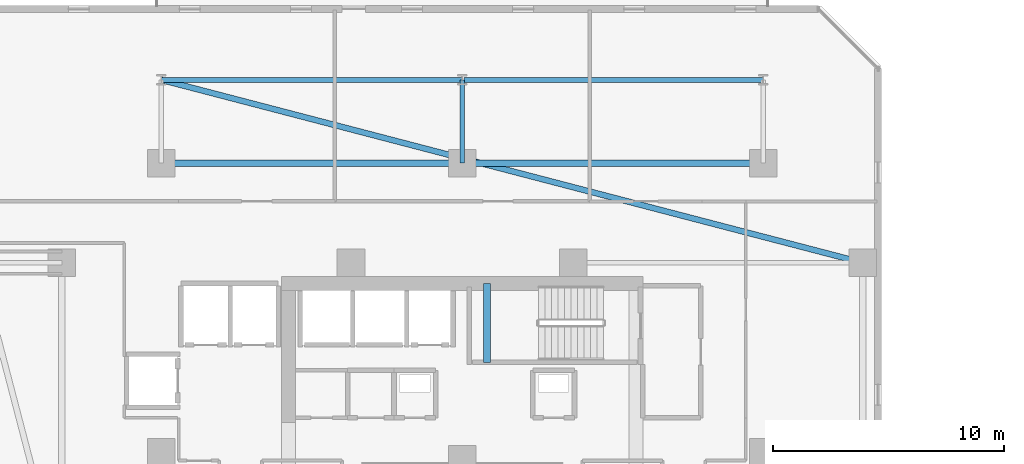
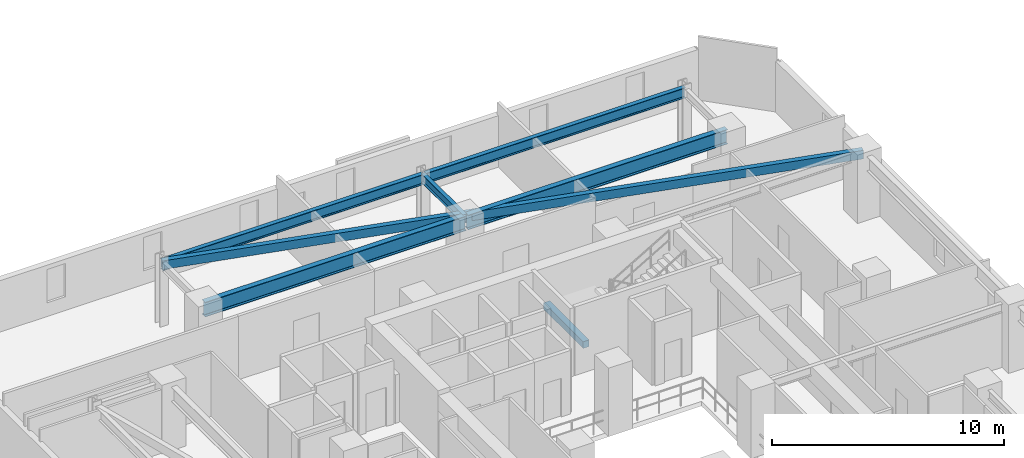
# One storey, part 8 of 33: 7 beams.
"""IFC4 building model written with IfcOpenShell, lengths in metres."""

import ifcopenshell
import ifcopenshell.guid

model = None  # the IFC model being written
_history = None  # IfcOwnerHistory: only IFC2X3 demands one
_inside = {}  # id of a spatial element -> (the spatial element, [elements in it])
_under = {}  # id of a project, library or spatial element -> (it, [spatial elements below it])
_declared = {}  # id of a project -> (the project, [libraries it declares])
_typed = {}  # id of a type object -> (the type object, [elements of that type])
_made_of = {}  # id of a material, layer set ... -> (it, [elements and type objects made of it])


def new_model(schema):
    """Start an empty IFC model of exactly this schema.

    Asked for "IFC4X3", IfcOpenShell would pick the latest addendum, in which some entities
    have other attributes; the version numbers below select the first issue.
    IFC2X3 requires an IfcOwnerHistory on every rooted entity: one is made here for all.
    """
    global model, _history
    if schema == "IFC4X3":
        model = ifcopenshell.file(schema_version=(4, 3, 0, 0))
    else:
        model = ifcopenshell.file(schema=schema)
    _inside.clear()
    _under.clear()
    _declared.clear()
    _typed.clear()
    _made_of.clear()
    _history = None
    if model.schema == "IFC2X3":
        org = make("IfcOrganization", Name="unknown")
        user = make(
            "IfcPersonAndOrganization",
            ThePerson=make("IfcPerson", FamilyName="unknown"),
            TheOrganization=org,
        )
        app = make(
            "IfcApplication",
            ApplicationDeveloper=org,
            Version="unknown",
            ApplicationFullName="unknown",
            ApplicationIdentifier="unknown",
        )
        _history = make(
            "IfcOwnerHistory",
            OwningUser=user,
            OwningApplication=app,
            ChangeAction="ADDED",
            CreationDate=0,
        )
    return model


def make(cls, **values):
    """One entity of the class cls with the attributes given. An attribute that is None is left unset."""
    return model.create_entity(
        cls, **{name: value for name, value in values.items() if value is not None}
    )


def rooted(cls, **values):
    """An entity with a GlobalId (a new one), such as an element, a storey or a relation."""
    return make(cls, GlobalId=ifcopenshell.guid.new(), OwnerHistory=_history, **values)


def si_unit(unit_type, name, prefix=None):
    """IfcSIUnit, for example si_unit("LENGTHUNIT", "METRE", prefix="MILLI")."""
    return make("IfcSIUnit", UnitType=unit_type, Prefix=prefix, Name=name)


def assignment(units):
    """IfcUnitAssignment: the units of a project."""
    return None if units is None else make("IfcUnitAssignment", Units=units)


def point(xyz):
    """IfcCartesianPoint."""
    return None if xyz is None else make("IfcCartesianPoint", Coordinates=xyz)


def direction(xyz):
    """IfcDirection."""
    return None if xyz is None else make("IfcDirection", DirectionRatios=xyz)


def frame(location, z_axis=None, x_axis=None):
    """IfcAxis2Placement3D, a coordinate frame: its origin and axes. An axis left out is left unset."""
    return make(
        "IfcAxis2Placement3D",
        Location=point(location),
        Axis=direction(z_axis),
        RefDirection=direction(x_axis),
    )


def frame_2d(location, x_axis=None):
    """IfcAxis2Placement2D, a coordinate frame in the plane: its origin and x axis."""
    return make(
        "IfcAxis2Placement2D", Location=point(location), RefDirection=direction(x_axis)
    )


def origin():
    """The frame at (0, 0, 0) with its axes left unset."""
    return frame((0.0, 0.0, 0.0))


def origin_2d():
    """The frame at (0, 0) in the plane with its x axis left unset."""
    return frame_2d((0.0, 0.0))


def place(relative_to, where):
    """IfcLocalPlacement: puts the frame where relative to a parent placement (None: the world)."""
    return make(
        "IfcLocalPlacement", PlacementRelTo=relative_to, RelativePlacement=where
    )


def context(
    kind, dimensions, precision=None, world=None, true_north=None, identifier=None
):
    """IfcGeometricRepresentationContext, for example the 3D "Model" context."""
    return make(
        "IfcGeometricRepresentationContext",
        ContextIdentifier=identifier,
        ContextType=kind,
        CoordinateSpaceDimension=dimensions,
        Precision=precision,
        WorldCoordinateSystem=world,
        TrueNorth=true_north,
    )


def subcontext(parent, identifier, kind, view, scale=None):
    """IfcGeometricRepresentationSubContext, for example "Body" below "Model"."""
    return make(
        "IfcGeometricRepresentationSubContext",
        ContextIdentifier=identifier,
        ContextType=kind,
        ParentContext=parent,
        TargetScale=scale,
        TargetView=view,
    )


def project(units=None, contexts=None):
    """IfcProject with its units and contexts."""
    return rooted(
        "IfcProject",
        Name="project",
        RepresentationContexts=contexts,
        UnitsInContext=assignment(units),
    )


def spatial(cls, under=None, at=None, **own):
    """A site, building, storey or space (cls), placed at a placement, below another one or the project."""
    s = rooted(cls, ObjectPlacement=at, **own)
    if under is not None:
        _under.setdefault(under.id(), (under, []))[1].append(s)
    return s


def profile(cls, at=None, kind="AREA", **sizes):
    """A parametric profile (cls). Its sizes go by their IFC names, for example OverallWidth=200.0."""
    return make(cls, ProfileType=kind, Position=at, **sizes)


def rectangle(**sizes):
    """IfcRectangleProfileDef."""
    return profile("IfcRectangleProfileDef", **sizes)


def hollow_rectangle(**sizes):
    """IfcRectangleHollowProfileDef."""
    return profile("IfcRectangleHollowProfileDef", **sizes)


def i_section(**sizes):
    """IfcIShapeProfileDef."""
    return profile("IfcIShapeProfileDef", **sizes)


def extrude(swept, where, along, depth):
    """IfcExtrudedAreaSolid: the profile swept, set in the frame where, extruded along a direction by depth."""
    return make(
        "IfcExtrudedAreaSolid",
        SweptArea=swept,
        Position=where,
        ExtrudedDirection=direction(along),
        Depth=depth,
    )


def shape(context_of_items, identifier, shape_type, items):
    """IfcShapeRepresentation: the items that make up one representation, for example the "Body"."""
    return make(
        "IfcShapeRepresentation",
        ContextOfItems=context_of_items,
        RepresentationIdentifier=identifier,
        RepresentationType=shape_type,
        Items=items,
    )


def material(Name=None, Category=None):
    """IfcMaterial."""
    return make("IfcMaterial", Name=Name, Category=Category)


def material_profile(
    of_material, cross_section, Name=None, Category=None, Priority=None
):
    """IfcMaterialProfile: a cross section and its material."""
    return make(
        "IfcMaterialProfile",
        Name=Name,
        Material=of_material,
        Profile=cross_section,
        Priority=Priority,
        Category=Category,
    )


def profile_set(profiles, Name=None, composite=None):
    """IfcMaterialProfileSet."""
    return make(
        "IfcMaterialProfileSet",
        Name=Name,
        MaterialProfiles=profiles,
        CompositeProfile=composite,
    )


def made_of(thing, what):
    """Note that an element or type object is made of a material, layer set ...; save() writes the relation."""
    if what is not None:
        _made_of.setdefault(what.id(), (what, []))[1].append(thing)
    return thing


def type_object(cls, material=None, **own):
    """A type object (cls), such as IfcWallType, which elements share."""
    return made_of(rooted(cls, **own), material)


def element(
    cls,
    number,
    at=None,
    inside=None,
    cuts=None,
    type_object=None,
    material=None,
    context=None,
    identifier="Body",
    shape_type=None,
    held_by="IfcProductDefinitionShape",
    body=None,
    shapes=None,
    **own,
):
    """One element of the class cls, such as IfcWall. Its Tag is "e" and its number.

    at: its placement. inside: the storey or other place that contains it. cuts: it is an
    opening in that element (IfcRelVoidsElement). A single representation is given by context,
    identifier, shape_type and body (its items); several are given by shapes. held_by: the class
    of the entity that holds the representations. save() writes the other relations.
    """
    e = rooted(cls, Tag="e%d" % number, ObjectPlacement=at, **own)
    if body is not None:
        shapes = [shape(context, identifier, shape_type, body)]
    if shapes is not None:
        e.Representation = make(held_by, Representations=shapes)
    if inside is not None:
        _inside.setdefault(inside.id(), (inside, []))[1].append(e)
    if cuts is not None:
        rooted(
            "IfcRelVoidsElement", RelatingBuildingElement=cuts, RelatedOpeningElement=e
        )
    if type_object is not None:
        _typed.setdefault(type_object.id(), (type_object, []))[1].append(e)
    return made_of(e, material)


def aggregate(whole, parts):
    """IfcRelAggregates: a whole, such as a stair, and the parts it consists of."""
    return rooted("IfcRelAggregates", RelatingObject=whole, RelatedObjects=parts)


def save(model, path):
    """Write the relations noted so far, then the file.

    IfcRelAggregates (storeys below a building ...), IfcRelContainedInSpatialStructure (elements
    in a storey), IfcRelDefinesByType, IfcRelAssociatesMaterial and IfcRelDeclares: one each for
    every whole, place, type object, material and project.
    """
    for whole, parts in _under.values():
        aggregate(whole, parts)
    for where, things in _inside.values():
        rooted(
            "IfcRelContainedInSpatialStructure",
            RelatedElements=things,
            RelatingStructure=where,
        )
    for kind, things in _typed.values():
        rooted("IfcRelDefinesByType", RelatedObjects=things, RelatingType=kind)
    for what, things in _made_of.values():
        rooted("IfcRelAssociatesMaterial", RelatedObjects=things, RelatingMaterial=what)
    for by, libraries in _declared.values():
        rooted("IfcRelDeclares", RelatingContext=by, RelatedDefinitions=libraries)
    model.write(path)


model = new_model("IFC4")

# Units and contexts
model_context = context("Model", 3, precision=1e-05, world=origin(), true_north=direction((0.0, 1.0)))
body_context = subcontext(model_context, "Body", "Model", "MODEL_VIEW")
ifc_project = project(units=[si_unit("LENGTHUNIT", "METRE"), si_unit("AREAUNIT", "SQUARE_METRE"), si_unit("VOLUMEUNIT", "CUBIC_METRE"), si_unit("PLANEANGLEUNIT", "RADIAN"), si_unit("MASSUNIT", "GRAM", prefix="KILO")], contexts=[model_context])

# Site, building, storey
site_placement = place(None, origin())
site = spatial("IfcSite", under=ifc_project, at=site_placement, CompositionType="ELEMENT")
building_placement = place(site_placement, origin())
building = spatial("IfcBuilding", under=site, at=building_placement, Name="Thornwick Lancets Civic Towers", CompositionType="ELEMENT")
storey_placement = place(building_placement, frame((0.0, 0.0, 112.5)))
storey = spatial("IfcBuildingStorey", under=building, at=storey_placement, Name="L29", CompositionType="ELEMENT", Elevation=112.5)

# Beams
ifc_material_1 = material(Name="Steel S355JR", Category="steel")
ifc_material_profile_1 = material_profile(ifc_material_1, i_section(OverallWidth=0.2119140625, OverallDepth=0.54443359375, WebThickness=0.0126953125, FlangeThickness=0.021240234375, FilletRadius=0.0126953125, at=origin_2d()), Name="UKB 533x210x122")
ifc_profile_set_1 = profile_set([ifc_material_profile_1], Name="Steel S355JR")
beam_type_1 = type_object("IfcBeamType", Name="BM_EDGE_533_122", PredefinedType="SPANDREL", material=ifc_profile_set_1)
beam_1_placement = place(storey_placement, frame((12.5, 47.89990234375, 3.087646484375), z_axis=(1.0, 0.0, 0.0), x_axis=(0.0, 1.0, 0.0)))
element("IfcBeam", 1, at=beam_1_placement, inside=storey, type_object=beam_type_1, Name="BM-EDGE-L29-A-S2-1", PredefinedType="SPANDREL", context=body_context, shape_type="SweptSolid", body=[
    extrude(i_section(OverallWidth=0.2119140625, OverallDepth=0.54443359375, WebThickness=0.0126953125, FlangeThickness=0.021240234375, FilletRadius=0.0126953125, at=origin_2d()), origin(), (0.0, 0.0, 1.0), 13.0),
])
beam_2_placement = place(storey_placement, frame((25.580078125, 47.89990234375, 3.087646484375), z_axis=(1.0, 0.0, 0.0), x_axis=(0.0, 1.0, 0.0)))
element("IfcBeam", 2, at=beam_2_placement, inside=storey, type_object=beam_type_1, Name="BM-EDGE-L29-A-S2-2", PredefinedType="SPANDREL", context=body_context, shape_type="SweptSolid", body=[
    extrude(i_section(OverallWidth=0.2119140625, OverallDepth=0.54443359375, WebThickness=0.0126953125, FlangeThickness=0.021240234375, FilletRadius=0.0126953125, at=origin_2d()), origin(), (0.0, 0.0, 1.0), 12.919921875),
])
ifc_material_profile_2 = material_profile(ifc_material_1, i_section(OverallWidth=0.26806640625, OverallDepth=0.769775390625, WebThickness=0.015625, FlangeThickness=0.025390625, FilletRadius=0.0166015625, at=origin_2d()), Name="UKB 762x267x197")
ifc_profile_set_2 = profile_set([ifc_material_profile_2], Name="Steel S355JR")
beam_type_2 = type_object("IfcBeamType", Name="BM_GIRD_762_197", PredefinedType="BEAM", material=ifc_profile_set_2)
beam_3_placement = place(storey_placement, frame((12.5, 44.300048828125, 2.97509765625), z_axis=(1.0, 0.0, 0.0), x_axis=(0.0, 1.0, 0.0)))
element("IfcBeam", 3, at=beam_3_placement, inside=storey, type_object=beam_type_2, Name="BM-SPINE-L29-A-6-7", PredefinedType="BEAM", context=body_context, shape_type="SweptSolid", body=[
    extrude(i_section(OverallWidth=0.26806640625, OverallDepth=0.769775390625, WebThickness=0.015625, FlangeThickness=0.025390625, FilletRadius=0.0166015625, at=origin_2d()), origin(), (0.0, 0.0, 1.0), 13.0),
])
beam_4_placement = place(storey_placement, frame((25.580078125, 44.300048828125, 2.97509765625), z_axis=(1.0, 0.0, 0.0), x_axis=(0.0, 1.0, 0.0)))
element("IfcBeam", 4, at=beam_4_placement, inside=storey, type_object=beam_type_2, Name="BM-SPINE-L29-A-7-8", PredefinedType="BEAM", context=body_context, shape_type="SweptSolid", body=[
    extrude(i_section(OverallWidth=0.26806640625, OverallDepth=0.769775390625, WebThickness=0.015625, FlangeThickness=0.025390625, FilletRadius=0.0166015625, at=origin_2d()), origin(), (0.0, 0.0, 1.0), 12.919921875),
])
ifc_material_profile_3 = material_profile(ifc_material_1, i_section(OverallWidth=0.19189453125, OverallDepth=0.46337890625, WebThickness=0.010498046875, FlangeThickness=0.017578125, FilletRadius=0.01025390625, at=origin_2d()), Name="UKB 457x191x89")
ifc_profile_set_3 = profile_set([ifc_material_profile_3], Name="Steel S355JR")
beam_type_3 = type_object("IfcBeamType", Name="BM_JOIST_457_89", PredefinedType="JOIST", material=ifc_profile_set_3)
beam_5_placement = place(storey_placement, frame((25.5, 44.300048828125, 3.12841796875), z_axis=(0.0, 1.0, 0.0), x_axis=(-1.0, 0.0, 0.0)))
element("IfcBeam", 5, at=beam_5_placement, inside=storey, type_object=beam_type_3, Name="BM-RAD-L29-A08", PredefinedType="JOIST", context=body_context, shape_type="SweptSolid", body=[
    extrude(i_section(OverallWidth=0.19189453125, OverallDepth=0.46337890625, WebThickness=0.010498046875, FlangeThickness=0.017578125, FilletRadius=0.01025390625, at=origin_2d()), origin(), (0.0, 0.0, 1.0), 3.599853515625),
])
ifc_material_profile_4 = material_profile(ifc_material_1, hollow_rectangle(XDim=0.25, YDim=0.449951171875, WallThickness=0.01611328125, at=origin_2d()), Name="RHS 450x250x16")
ifc_profile_set_4 = profile_set([ifc_material_profile_4], Name="Steel S355JR")
beam_type_4 = type_object("IfcBeamType", Name="BM_RING_RHS450", PredefinedType="BEAM", material=ifc_profile_set_4)
beam_6_placement = place(storey_placement, frame((42.800048828125, 40.0, 3.135009765625), z_axis=(-0.967652038286, 0.252288590311, 0.0), x_axis=(-0.252288590311, -0.967652038286, 0.0)))
element("IfcBeam", 6, at=beam_6_placement, inside=storey, type_object=beam_type_4, Name="BM-CHAMF-L29-A-C1", PredefinedType="BEAM", context=body_context, shape_type="SweptSolid", body=[
    extrude(hollow_rectangle(XDim=0.25, YDim=0.449951171875, WallThickness=0.01611328125, at=origin_2d()), origin(), (0.0, 0.0, 1.0), 31.31298828125),
])
ifc_material_2 = material(Name="Concrete C40/50", Category="concrete")
ifc_material_profile_5 = material_profile(ifc_material_2, rectangle(XDim=0.300048828125, YDim=0.35009765625, at=origin_2d()), Name="RC 300x350")
ifc_profile_set_5 = profile_set([ifc_material_profile_5], Name="Concrete C40/50")
beam_type_5 = type_object("IfcBeamType", Name="BM_STAIR_LDG", PredefinedType="BEAM", material=ifc_profile_set_5)
beam_7_placement = place(storey_placement, frame((26.56494140625, 39.10009765625, 1.3779296875), z_axis=(0.0, -1.0, 0.0), x_axis=(1.0, 0.0, 0.0)))
element("IfcBeam", 7, at=beam_7_placement, inside=storey, type_object=beam_type_5, Name="L29 ST-A2 Landing Support Beam 1", PredefinedType="BEAM", context=body_context, shape_type="SweptSolid", body=[
    extrude(rectangle(XDim=0.300048828125, YDim=0.35009765625, at=origin_2d()), origin(), (0.0, 0.0, 1.0), 3.400146484375),
])

save(model, "model.ifc")
